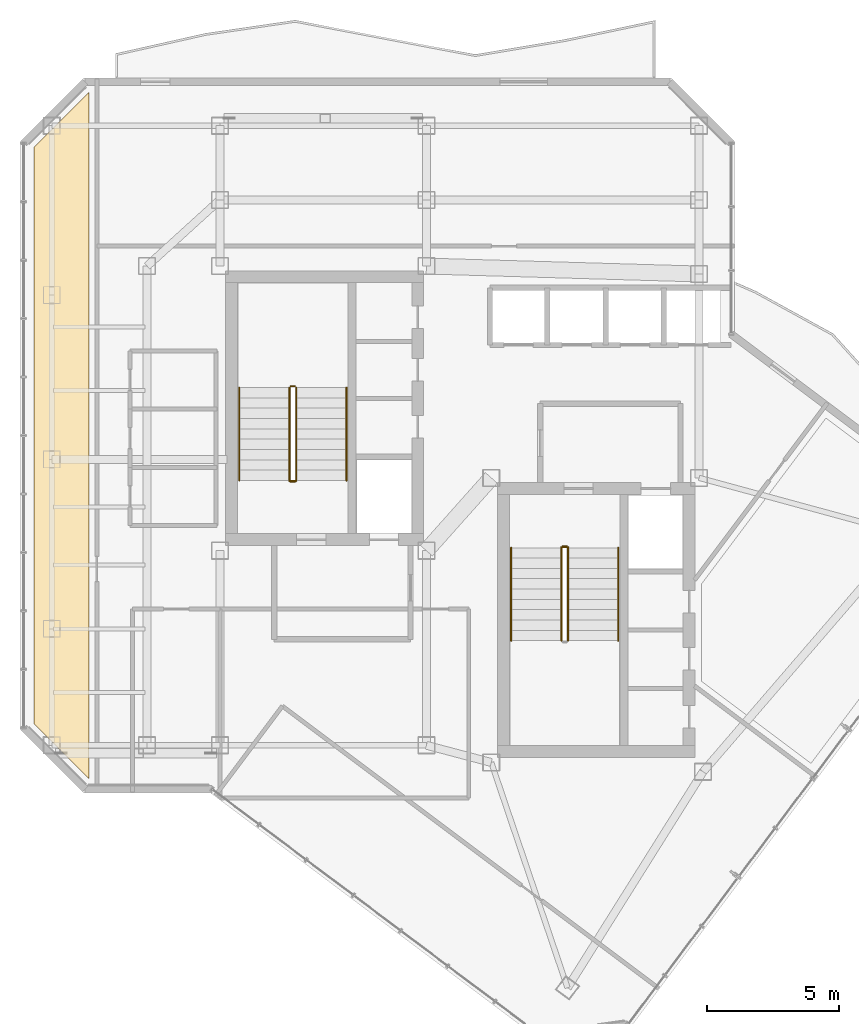
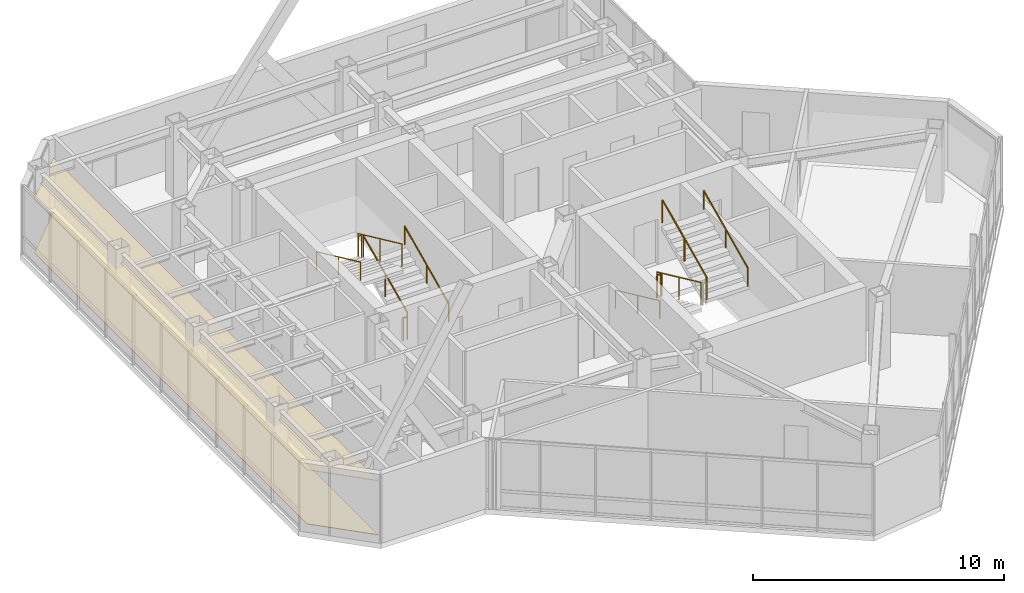
# One storey, part 21 of 22: 13 railings, 2 coverings.
"""IFC4 building model written with IfcOpenShell, lengths in metres."""

import ifcopenshell
import ifcopenshell.guid

model = None  # the IFC model being written
_history = None  # IfcOwnerHistory: only IFC2X3 demands one
_inside = {}  # id of a spatial element -> (the spatial element, [elements in it])
_under = {}  # id of a project, library or spatial element -> (it, [spatial elements below it])
_declared = {}  # id of a project -> (the project, [libraries it declares])
_typed = {}  # id of a type object -> (the type object, [elements of that type])
_made_of = {}  # id of a material, layer set ... -> (it, [elements and type objects made of it])


def new_model(schema):
    """Start an empty IFC model of exactly this schema.

    Asked for "IFC4X3", IfcOpenShell would pick the latest addendum, in which some entities
    have other attributes; the version numbers below select the first issue.
    IFC2X3 requires an IfcOwnerHistory on every rooted entity: one is made here for all.
    """
    global model, _history
    if schema == "IFC4X3":
        model = ifcopenshell.file(schema_version=(4, 3, 0, 0))
    else:
        model = ifcopenshell.file(schema=schema)
    _inside.clear()
    _under.clear()
    _declared.clear()
    _typed.clear()
    _made_of.clear()
    _history = None
    if model.schema == "IFC2X3":
        org = make("IfcOrganization", Name="unknown")
        user = make(
            "IfcPersonAndOrganization",
            ThePerson=make("IfcPerson", FamilyName="unknown"),
            TheOrganization=org,
        )
        app = make(
            "IfcApplication",
            ApplicationDeveloper=org,
            Version="unknown",
            ApplicationFullName="unknown",
            ApplicationIdentifier="unknown",
        )
        _history = make(
            "IfcOwnerHistory",
            OwningUser=user,
            OwningApplication=app,
            ChangeAction="ADDED",
            CreationDate=0,
        )
    return model


def make(cls, **values):
    """One entity of the class cls with the attributes given. An attribute that is None is left unset."""
    return model.create_entity(
        cls, **{name: value for name, value in values.items() if value is not None}
    )


def rooted(cls, **values):
    """An entity with a GlobalId (a new one), such as an element, a storey or a relation."""
    return make(cls, GlobalId=ifcopenshell.guid.new(), OwnerHistory=_history, **values)


def si_unit(unit_type, name, prefix=None):
    """IfcSIUnit, for example si_unit("LENGTHUNIT", "METRE", prefix="MILLI")."""
    return make("IfcSIUnit", UnitType=unit_type, Prefix=prefix, Name=name)


def assignment(units):
    """IfcUnitAssignment: the units of a project."""
    return None if units is None else make("IfcUnitAssignment", Units=units)


def point(xyz):
    """IfcCartesianPoint."""
    return None if xyz is None else make("IfcCartesianPoint", Coordinates=xyz)


def direction(xyz):
    """IfcDirection."""
    return None if xyz is None else make("IfcDirection", DirectionRatios=xyz)


def frame(location, z_axis=None, x_axis=None):
    """IfcAxis2Placement3D, a coordinate frame: its origin and axes. An axis left out is left unset."""
    return make(
        "IfcAxis2Placement3D",
        Location=point(location),
        Axis=direction(z_axis),
        RefDirection=direction(x_axis),
    )


def frame_2d(location, x_axis=None):
    """IfcAxis2Placement2D, a coordinate frame in the plane: its origin and x axis."""
    return make(
        "IfcAxis2Placement2D", Location=point(location), RefDirection=direction(x_axis)
    )


def origin():
    """The frame at (0, 0, 0) with its axes left unset."""
    return frame((0.0, 0.0, 0.0))


def origin_2d():
    """The frame at (0, 0) in the plane with its x axis left unset."""
    return frame_2d((0.0, 0.0))


def place(relative_to, where):
    """IfcLocalPlacement: puts the frame where relative to a parent placement (None: the world)."""
    return make(
        "IfcLocalPlacement", PlacementRelTo=relative_to, RelativePlacement=where
    )


def context(
    kind, dimensions, precision=None, world=None, true_north=None, identifier=None
):
    """IfcGeometricRepresentationContext, for example the 3D "Model" context."""
    return make(
        "IfcGeometricRepresentationContext",
        ContextIdentifier=identifier,
        ContextType=kind,
        CoordinateSpaceDimension=dimensions,
        Precision=precision,
        WorldCoordinateSystem=world,
        TrueNorth=true_north,
    )


def subcontext(parent, identifier, kind, view, scale=None):
    """IfcGeometricRepresentationSubContext, for example "Body" below "Model"."""
    return make(
        "IfcGeometricRepresentationSubContext",
        ContextIdentifier=identifier,
        ContextType=kind,
        ParentContext=parent,
        TargetScale=scale,
        TargetView=view,
    )


def project(units=None, contexts=None):
    """IfcProject with its units and contexts."""
    return rooted(
        "IfcProject",
        Name="project",
        RepresentationContexts=contexts,
        UnitsInContext=assignment(units),
    )


def spatial(cls, under=None, at=None, **own):
    """A site, building, storey or space (cls), placed at a placement, below another one or the project."""
    s = rooted(cls, ObjectPlacement=at, **own)
    if under is not None:
        _under.setdefault(under.id(), (under, []))[1].append(s)
    return s


def polyline(points):
    """IfcPolyline through the points."""
    return make("IfcPolyline", Points=[point(p) for p in points])


def profile(cls, at=None, kind="AREA", **sizes):
    """A parametric profile (cls). Its sizes go by their IFC names, for example OverallWidth=200.0."""
    return make(cls, ProfileType=kind, Position=at, **sizes)


def circle(**sizes):
    """IfcCircleProfileDef."""
    return profile("IfcCircleProfileDef", **sizes)


def outline(outer, holes=None, kind="AREA"):
    """IfcArbitraryClosedProfileDef: a profile drawn as a closed curve; with holes, ...WithVoids."""
    if holes is None:
        return make("IfcArbitraryClosedProfileDef", ProfileType=kind, OuterCurve=outer)
    return make(
        "IfcArbitraryProfileDefWithVoids",
        ProfileType=kind,
        OuterCurve=outer,
        InnerCurves=holes,
    )


def extrude(swept, where, along, depth):
    """IfcExtrudedAreaSolid: the profile swept, set in the frame where, extruded along a direction by depth."""
    return make(
        "IfcExtrudedAreaSolid",
        SweptArea=swept,
        Position=where,
        ExtrudedDirection=direction(along),
        Depth=depth,
    )


def shape(context_of_items, identifier, shape_type, items):
    """IfcShapeRepresentation: the items that make up one representation, for example the "Body"."""
    return make(
        "IfcShapeRepresentation",
        ContextOfItems=context_of_items,
        RepresentationIdentifier=identifier,
        RepresentationType=shape_type,
        Items=items,
    )


def material(Name=None, Category=None):
    """IfcMaterial."""
    return make("IfcMaterial", Name=Name, Category=Category)


def layer(
    of_material, thickness, ventilated=None, Name=None, Category=None, Priority=None
):
    """IfcMaterialLayer: one layer of a wall or slab, of a material (None: an air gap)."""
    return make(
        "IfcMaterialLayer",
        Material=of_material,
        LayerThickness=thickness,
        IsVentilated=ventilated,
        Name=Name,
        Category=Category,
        Priority=Priority,
    )


def layer_set(layers, Name=None):
    """IfcMaterialLayerSet."""
    return make("IfcMaterialLayerSet", MaterialLayers=layers, LayerSetName=Name)


def made_of(thing, what):
    """Note that an element or type object is made of a material, layer set ...; save() writes the relation."""
    if what is not None:
        _made_of.setdefault(what.id(), (what, []))[1].append(thing)
    return thing


def type_object(cls, material=None, **own):
    """A type object (cls), such as IfcWallType, which elements share."""
    return made_of(rooted(cls, **own), material)


def element(
    cls,
    number,
    at=None,
    inside=None,
    cuts=None,
    type_object=None,
    material=None,
    context=None,
    identifier="Body",
    shape_type=None,
    held_by="IfcProductDefinitionShape",
    body=None,
    shapes=None,
    **own,
):
    """One element of the class cls, such as IfcWall. Its Tag is "e" and its number.

    at: its placement. inside: the storey or other place that contains it. cuts: it is an
    opening in that element (IfcRelVoidsElement). A single representation is given by context,
    identifier, shape_type and body (its items); several are given by shapes. held_by: the class
    of the entity that holds the representations. save() writes the other relations.
    """
    e = rooted(cls, Tag="e%d" % number, ObjectPlacement=at, **own)
    if body is not None:
        shapes = [shape(context, identifier, shape_type, body)]
    if shapes is not None:
        e.Representation = make(held_by, Representations=shapes)
    if inside is not None:
        _inside.setdefault(inside.id(), (inside, []))[1].append(e)
    if cuts is not None:
        rooted(
            "IfcRelVoidsElement", RelatingBuildingElement=cuts, RelatedOpeningElement=e
        )
    if type_object is not None:
        _typed.setdefault(type_object.id(), (type_object, []))[1].append(e)
    return made_of(e, material)


def aggregate(whole, parts):
    """IfcRelAggregates: a whole, such as a stair, and the parts it consists of."""
    return rooted("IfcRelAggregates", RelatingObject=whole, RelatedObjects=parts)


def save(model, path):
    """Write the relations noted so far, then the file.

    IfcRelAggregates (storeys below a building ...), IfcRelContainedInSpatialStructure (elements
    in a storey), IfcRelDefinesByType, IfcRelAssociatesMaterial and IfcRelDeclares: one each for
    every whole, place, type object, material and project.
    """
    for whole, parts in _under.values():
        aggregate(whole, parts)
    for where, things in _inside.values():
        rooted(
            "IfcRelContainedInSpatialStructure",
            RelatedElements=things,
            RelatingStructure=where,
        )
    for kind, things in _typed.values():
        rooted("IfcRelDefinesByType", RelatedObjects=things, RelatingType=kind)
    for what, things in _made_of.values():
        rooted("IfcRelAssociatesMaterial", RelatedObjects=things, RelatingMaterial=what)
    for by, libraries in _declared.values():
        rooted("IfcRelDeclares", RelatingContext=by, RelatedDefinitions=libraries)
    model.write(path)


model = new_model("IFC4")

# Units and contexts
model_context = context("Model", 3, precision=1e-05, world=origin(), true_north=direction((0.0, 1.0)))
body_context = subcontext(model_context, "Body", "Model", "MODEL_VIEW")
ifc_project = project(units=[si_unit("LENGTHUNIT", "METRE"), si_unit("AREAUNIT", "SQUARE_METRE"), si_unit("VOLUMEUNIT", "CUBIC_METRE"), si_unit("PLANEANGLEUNIT", "RADIAN"), si_unit("MASSUNIT", "GRAM", prefix="KILO")], contexts=[model_context])

# Site, building, storey
site_placement = place(None, origin())
site = spatial("IfcSite", under=ifc_project, at=site_placement, CompositionType="ELEMENT")
building_placement = place(site_placement, origin())
building = spatial("IfcBuilding", under=site, at=building_placement, Name="Hatsunagi Terrace Concourse", CompositionType="ELEMENT")
storey_placement = place(building_placement, frame((0.0, 0.0, 239.550048828125)))
storey = spatial("IfcBuildingStorey", under=building, at=storey_placement, Name="L63", CompositionType="ELEMENT", Elevation=239.550048828125)

# Covering
ifc_material_1 = material(Name="Granite stone paving", Category="masonry")
ifc_layer_1 = layer(ifc_material_1, 0.02490234375)
ifc_layer_set_1 = layer_set([ifc_layer_1], Name="GraniteStoneFlooring_25")
covering_type_1 = type_object("IfcCoveringType", Name="GraniteStoneFlooring_25", PredefinedType="FLOORING", material=ifc_layer_set_1)
covering_1_placement = place(storey_placement, origin())
element("IfcCovering", 1, at=covering_1_placement, inside=storey, type_object=covering_type_1, Name="Finished Flooring L63-2", PredefinedType="FLOORING", context=body_context, shape_type="SweptSolid", body=[
    extrude(outline(polyline([(18.530029296875, 26.02001953125), (20.60009765625, 23.949951171875), (20.60009765625, 49.85009765625), (18.530029296875, 47.780029296875), (18.530029296875, 26.02001953125)])), origin(), (0.0, 0.0, 1.0), 0.02490234375),
])

# Railings
ifc_material_2 = material(Name="Stainless steel", Category="steel")
ifc_layer_2 = layer(ifc_material_2, 0.044921875)
ifc_layer_set_2 = layer_set([ifc_layer_2], Name="StairPitchHandrail_Tower2000")
railing_type_1 = type_object("IfcRailingType", Name="StairPitchHandrail_Tower2000", PredefinedType="HANDRAIL", material=ifc_layer_set_2)
railing_1_placement = place(storey_placement, frame((30.330078125, 35.199951171875, 0.179931640625)))
element("IfcRailing", 2, at=railing_1_placement, inside=storey, type_object=railing_type_1, Name="L63 ST-A stair handrail 1", PredefinedType="HANDRAIL", context=body_context, shape_type="SweptSolid", body=[
    extrude(circle(Radius=0.02392578125, at=origin_2d()), frame((0.0, 0.0, 0.8759765625), z_axis=(0.0, 0.907948293929, 0.419082206198), x_axis=(-1.0, 0.0, 0.0)), (0.0, 0.0, 1.0), 3.865966796875),
    extrude(circle(Radius=0.02099609375, at=origin_2d()), origin(), (0.0, 0.0, 1.0), 0.851806640625),
    extrude(circle(Radius=0.02099609375, at=origin_2d()), frame((0.0, 1.7548828125, 0.81005859375)), (0.0, 0.0, 1.0), 0.851806640625),
    extrude(circle(Radius=0.02099609375, at=origin_2d()), frame((0.0, 3.510009765625, 1.6201171875)), (0.0, 0.0, 1.0), 0.851806640625),
])
railing_2_placement = place(storey_placement, frame((26.280029296875, 38.7099609375, 1.97998046875)))
element("IfcRailing", 3, at=railing_2_placement, inside=storey, type_object=railing_type_1, Name="L63 ST-A stair handrail 2", PredefinedType="HANDRAIL", context=body_context, shape_type="SweptSolid", body=[
    extrude(circle(Radius=0.02392578125, at=origin_2d()), frame((0.0, 0.0, 0.8759765625), z_axis=(0.0, -0.907972323039, 0.419030142823), x_axis=(1.0, 0.0, 0.0)), (0.0, 0.0, 1.0), 3.86572265625),
    extrude(circle(Radius=0.02099609375, at=origin_2d()), origin(), (0.0, 0.0, 1.0), 0.851806640625),
    extrude(circle(Radius=0.02099609375, at=origin_2d()), frame((0.0, -1.7548828125, 0.81005859375)), (0.0, 0.0, 1.0), 0.851806640625),
    extrude(circle(Radius=0.02099609375, at=origin_2d()), frame((0.0, -3.510009765625, 1.619873046875)), (0.0, 0.0, 1.0), 0.851806640625),
])
railing_3_placement = place(storey_placement, frame((36.550048828125, 32.659912109375, 0.179931640625)))
element("IfcRailing", 4, at=railing_3_placement, inside=storey, type_object=railing_type_1, Name="L63 ST-B stair handrail 1", PredefinedType="HANDRAIL", context=body_context, shape_type="SweptSolid", body=[
    extrude(circle(Radius=0.02392578125, at=origin_2d()), frame((0.0, 0.0, 0.8759765625), z_axis=(0.0, -0.907948293929, 0.419082206198), x_axis=(1.0, 0.0, 0.0)), (0.0, 0.0, 1.0), 3.865966796875),
    extrude(circle(Radius=0.02099609375, at=origin_2d()), origin(), (0.0, 0.0, 1.0), 0.851806640625),
    extrude(circle(Radius=0.02099609375, at=origin_2d()), frame((0.0, -1.7548828125, 0.81005859375)), (0.0, 0.0, 1.0), 0.851806640625),
    extrude(circle(Radius=0.02099609375, at=origin_2d()), frame((0.0, -3.510009765625, 1.6201171875)), (0.0, 0.0, 1.0), 0.851806640625),
])
railing_4_placement = place(storey_placement, frame((40.60009765625, 29.14990234375, 1.97998046875)))
element("IfcRailing", 5, at=railing_4_placement, inside=storey, type_object=railing_type_1, Name="L63 ST-B stair handrail 2", PredefinedType="HANDRAIL", context=body_context, shape_type="SweptSolid", body=[
    extrude(circle(Radius=0.02392578125, at=origin_2d()), frame((0.0, 0.0, 0.8759765625), z_axis=(0.0, 0.907972323039, 0.419030142823), x_axis=(-1.0, 0.0, 0.0)), (0.0, 0.0, 1.0), 3.86572265625),
    extrude(circle(Radius=0.02099609375, at=origin_2d()), origin(), (0.0, 0.0, 1.0), 0.851806640625),
    extrude(circle(Radius=0.02099609375, at=origin_2d()), frame((0.0, 1.7548828125, 0.81005859375)), (0.0, 0.0, 1.0), 0.851806640625),
    extrude(circle(Radius=0.02099609375, at=origin_2d()), frame((0.0, 3.510009765625, 1.619873046875)), (0.0, 0.0, 1.0), 0.851806640625),
])
ifc_material_3 = material(Name="Stainless steel", Category="steel")
ifc_layer_3 = layer(ifc_material_3, 0.06005859375)
ifc_layer_set_3 = layer_set([ifc_layer_3], Name="StairWellGuard_Tower2000")
railing_type_2 = type_object("IfcRailingType", Name="StairWellGuard_Tower2000", PredefinedType="BALUSTRADE", material=ifc_layer_set_3)
railing_5_placement = place(storey_placement, frame((28.429931640625, 35.199951171875, 0.179931640625)))
element("IfcRailing", 6, at=railing_5_placement, inside=storey, type_object=railing_type_2, Name="L63 ST-A stair guard 1", PredefinedType="BALUSTRADE", context=body_context, shape_type="SweptSolid", body=[
    extrude(circle(Radius=0.02392578125, at=origin_2d()), frame((0.0, 0.0, 1.09619140625), z_axis=(0.0, 0.907948293929, 0.419082206198), x_axis=(-1.0, 0.0, 0.0)), (0.0, 0.0, 1.0), 3.865966796875),
    extrude(circle(Radius=0.02099609375, at=origin_2d()), origin(), (0.0, 0.0, 1.0), 1.072021484375),
    extrude(circle(Radius=0.02099609375, at=origin_2d()), frame((0.0, 1.7548828125, 0.81005859375)), (0.0, 0.0, 1.0), 1.072021484375),
    extrude(circle(Radius=0.02099609375, at=origin_2d()), frame((0.0, 3.510009765625, 1.6201171875)), (0.0, 0.0, 1.0), 1.072021484375),
])
railing_6_placement = place(storey_placement, frame((28.3798828125, 38.760009765625, 1.800048828125)))
element("IfcRailing", 7, at=railing_6_placement, inside=storey, type_object=railing_type_2, Name="L63 ST-A stair guard 2", PredefinedType="BALUSTRADE", context=body_context, shape_type="SweptSolid", body=[
    extrude(circle(Radius=0.02392578125, at=origin_2d()), frame((0.0, 0.0, 1.09619140625), z_axis=(-1.0, 0.0, 0.0), x_axis=(0.0, -1.0, 0.0)), (0.0, 0.0, 1.0), 0.14990234375),
    extrude(circle(Radius=0.02099609375, at=origin_2d()), origin(), (0.0, 0.0, 1.0), 1.072021484375),
    extrude(circle(Radius=0.02099609375, at=origin_2d()), frame((-0.14990234375, 0.0, 0.0)), (0.0, 0.0, 1.0), 1.072021484375),
])
railing_7_placement = place(storey_placement, frame((28.179931640625, 38.7099609375, 1.97998046875)))
element("IfcRailing", 8, at=railing_7_placement, inside=storey, type_object=railing_type_2, Name="L63 ST-A stair guard 3", PredefinedType="BALUSTRADE", context=body_context, shape_type="SweptSolid", body=[
    extrude(circle(Radius=0.02392578125, at=origin_2d()), frame((0.0, 0.0, 1.09619140625), z_axis=(0.0, -0.907972323039, 0.419030142823), x_axis=(1.0, 0.0, 0.0)), (0.0, 0.0, 1.0), 3.86572265625),
    extrude(circle(Radius=0.02099609375, at=origin_2d()), origin(), (0.0, 0.0, 1.0), 1.072021484375),
    extrude(circle(Radius=0.02099609375, at=origin_2d()), frame((0.0, -1.7548828125, 0.81005859375)), (0.0, 0.0, 1.0), 1.072021484375),
    extrude(circle(Radius=0.02099609375, at=origin_2d()), frame((0.0, -3.510009765625, 1.619873046875)), (0.0, 0.0, 1.0), 1.072021484375),
])
railing_8_placement = place(storey_placement, frame((28.3798828125, 35.14990234375, 0.0)))
element("IfcRailing", 9, at=railing_8_placement, inside=storey, type_object=railing_type_2, Name="L63 ST-A stair guard 4", PredefinedType="BALUSTRADE", context=body_context, shape_type="SweptSolid", body=[
    extrude(circle(Radius=0.02392578125, at=origin_2d()), frame((0.0, 0.0, 1.09619140625), z_axis=(-1.0, 0.0, 0.0), x_axis=(0.0, -1.0, 0.0)), (0.0, 0.0, 1.0), 0.14990234375),
    extrude(circle(Radius=0.02099609375, at=origin_2d()), origin(), (0.0, 0.0, 1.0), 1.072021484375),
    extrude(circle(Radius=0.02099609375, at=origin_2d()), frame((-0.14990234375, 0.0, 0.0)), (0.0, 0.0, 1.0), 1.072021484375),
])
railing_9_placement = place(storey_placement, frame((38.449951171875, 32.659912109375, 0.179931640625)))
element("IfcRailing", 10, at=railing_9_placement, inside=storey, type_object=railing_type_2, Name="L63 ST-B stair guard 1", PredefinedType="BALUSTRADE", context=body_context, shape_type="SweptSolid", body=[
    extrude(circle(Radius=0.02392578125, at=origin_2d()), frame((0.0, 0.0, 1.09619140625), z_axis=(0.0, -0.907948293929, 0.419082206198), x_axis=(1.0, 0.0, 0.0)), (0.0, 0.0, 1.0), 3.865966796875),
    extrude(circle(Radius=0.02099609375, at=origin_2d()), origin(), (0.0, 0.0, 1.0), 1.072021484375),
    extrude(circle(Radius=0.02099609375, at=origin_2d()), frame((0.0, -1.7548828125, 0.81005859375)), (0.0, 0.0, 1.0), 1.072021484375),
    extrude(circle(Radius=0.02099609375, at=origin_2d()), frame((0.0, -3.510009765625, 1.6201171875)), (0.0, 0.0, 1.0), 1.072021484375),
])
railing_10_placement = place(storey_placement, frame((38.699951171875, 29.14990234375, 1.97998046875)))
element("IfcRailing", 11, at=railing_10_placement, inside=storey, type_object=railing_type_2, Name="L63 ST-B stair guard 3", PredefinedType="BALUSTRADE", context=body_context, shape_type="SweptSolid", body=[
    extrude(circle(Radius=0.02392578125, at=origin_2d()), frame((0.0, 0.0, 1.09619140625), z_axis=(0.0, 0.907972323039, 0.419030142823), x_axis=(-1.0, 0.0, 0.0)), (0.0, 0.0, 1.0), 3.86572265625),
    extrude(circle(Radius=0.02099609375, at=origin_2d()), origin(), (0.0, 0.0, 1.0), 1.072021484375),
    extrude(circle(Radius=0.02099609375, at=origin_2d()), frame((0.0, 1.7548828125, 0.81005859375)), (0.0, 0.0, 1.0), 1.072021484375),
    extrude(circle(Radius=0.02099609375, at=origin_2d()), frame((0.0, 3.510009765625, 1.619873046875)), (0.0, 0.0, 1.0), 1.072021484375),
])
railing_11_placement = place(storey_placement, frame((38.5, 32.7099609375, 0.0)))
element("IfcRailing", 12, at=railing_11_placement, inside=storey, type_object=railing_type_2, Name="L63 ST-B stair guard 4", PredefinedType="BALUSTRADE", context=body_context, shape_type="SweptSolid", body=[
    extrude(circle(Radius=0.02392578125, at=origin_2d()), frame((0.0, 0.0, 1.09619140625), z_axis=(1.0, 0.0, 0.0), x_axis=(0.0, 1.0, 0.0)), (0.0, 0.0, 1.0), 0.14990234375),
    extrude(circle(Radius=0.02099609375, at=origin_2d()), origin(), (0.0, 0.0, 1.0), 1.072021484375),
    extrude(circle(Radius=0.02099609375, at=origin_2d()), frame((0.14990234375, 0.0, 0.0)), (0.0, 0.0, 1.0), 1.072021484375),
])
ifc_material_4 = material(Name="Stainless Steel SUS316 Post-and-Rail Guard", Category="steel")
ifc_layer_4 = layer(ifc_material_4, 0.080078125)
ifc_layer_set_4 = layer_set([ifc_layer_4], Name="TerracePlantedGuardRail_1200")
railing_type_3 = type_object("IfcRailingType", Name="TerracePlantedGuardRail_1200", PredefinedType="GUARDRAIL", material=ifc_layer_set_4)
for number, where, name in (
    (13, (28.179931640625, 35.179931640625, 0.0), "Stair ST-A Well Closure Guard L63"),
    (14, (38.449951171875, 32.679931640625, 0.0), "Stair ST-B Well Closure Guard L63"),
):
    element("IfcRailing", number, at=place(storey_placement, frame(where)), inside=storey, type_object=railing_type_3, Name=name, PredefinedType="GUARDRAIL", context=body_context, shape_type="SweptSolid", body=[
        extrude(circle(Radius=0.02392578125, at=origin_2d()), frame((0.0, 0.0, 1.09619140625), z_axis=(1.0, 0.0, 0.0), x_axis=(0.0, 1.0, 0.0)), (0.0, 0.0, 1.0), 0.25),
        extrude(circle(Radius=0.02099609375, at=origin_2d()), origin(), (0.0, 0.0, 1.0), 1.072021484375),
        extrude(circle(Radius=0.02099609375, at=origin_2d()), frame((0.25, 0.0, 0.0)), (0.0, 0.0, 1.0), 1.072021484375),
    ])

# Covering
ifc_material_5 = material(Name="Hardwood timber", Category="wood")
ifc_layer_5 = layer(ifc_material_5, 0.034912109375)
ifc_layer_set_5 = layer_set([ifc_layer_5], Name="TimberBaffleCeiling_35")
covering_type_2 = type_object("IfcCoveringType", Name="TimberBaffleCeiling_35", PredefinedType="CEILING", material=ifc_layer_set_5)
covering_2_placement = place(storey_placement, frame((0.0, 0.0, 2.6298828125)))
element("IfcCovering", 15, at=covering_2_placement, inside=storey, type_object=covering_type_2, Name="Suspended Ceiling L63-2", PredefinedType="CEILING", context=body_context, shape_type="SweptSolid", body=[
    extrude(outline(polyline([(18.530029296875, 26.02001953125), (20.60009765625, 23.949951171875), (20.60009765625, 49.85009765625), (18.530029296875, 47.780029296875), (18.530029296875, 26.02001953125)])), origin(), (0.0, 0.0, 1.0), 0.03515625),
])

save(model, "model.ifc")
